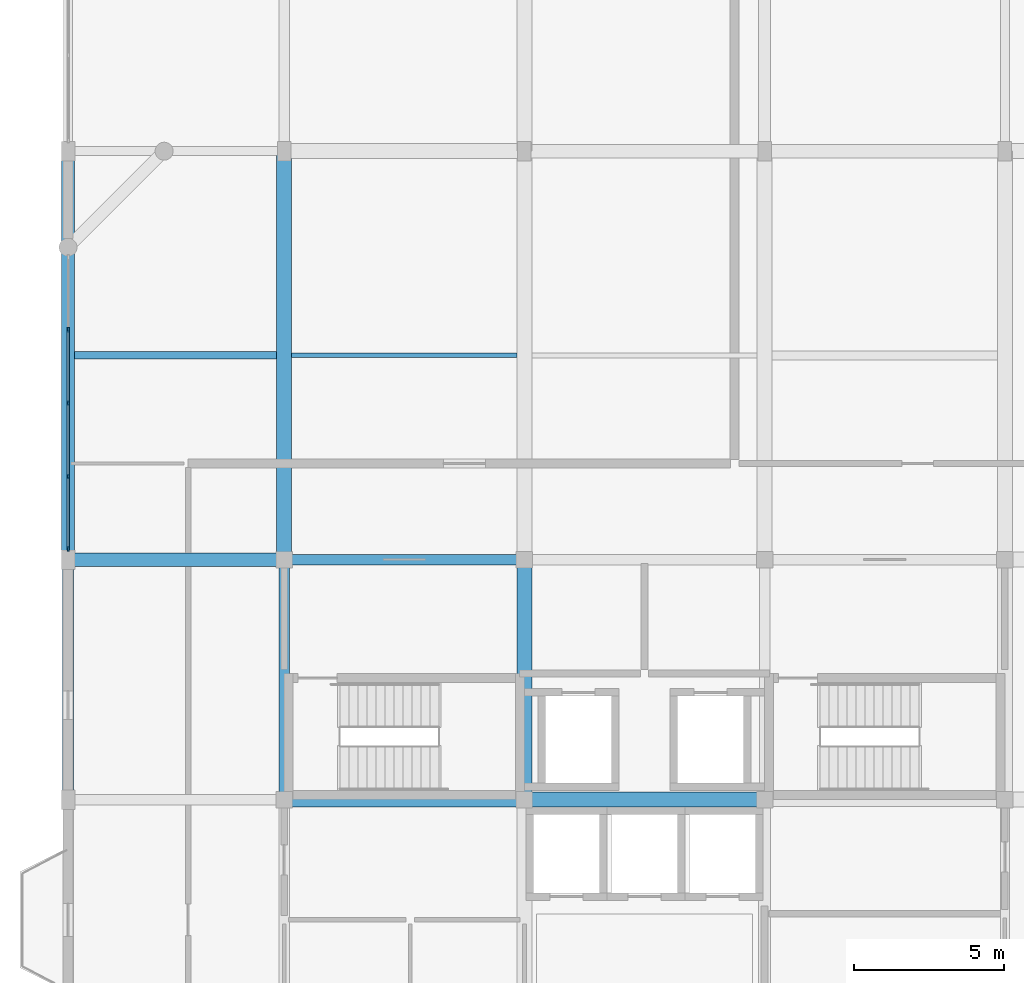
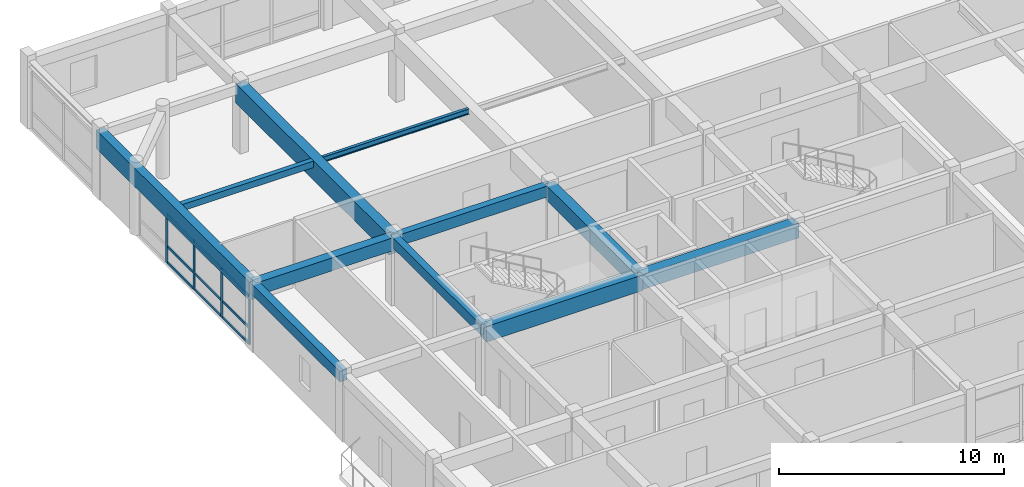
# One storey, part 3 of 13: 13 members, 11 beams, 1 element without a shape of its own.
"""IFC4 building model written with IfcOpenShell, lengths in metres."""

from ifc_helpers import new_model, si_unit, direction, frame, origin, origin_2d, place, context, subcontext, project, spatial, rectangle, i_section, extrude, material, material_profile, profile_set, type_object, element, aggregate, save


model = new_model("IFC4")

# Units and contexts
model_context = context("Model", 3, precision=1e-05, world=origin(), true_north=direction((0.0, 1.0)))
body_context = subcontext(model_context, "Body", "Model", "MODEL_VIEW")
ifc_project = project(units=[si_unit("LENGTHUNIT", "METRE"), si_unit("AREAUNIT", "SQUARE_METRE"), si_unit("VOLUMEUNIT", "CUBIC_METRE"), si_unit("PLANEANGLEUNIT", "RADIAN"), si_unit("MASSUNIT", "GRAM", prefix="KILO")], contexts=[model_context])

# Site, building, storey
site_placement = place(None, origin())
site = spatial("IfcSite", under=ifc_project, at=site_placement, CompositionType="ELEMENT")
building_placement = place(site_placement, origin())
building = spatial("IfcBuilding", under=site, at=building_placement, Name="Vellmiral Cinema and Media Centre", CompositionType="ELEMENT")
storey_placement = place(building_placement, frame((0.0, 0.0, 58.699951171875)))
storey = spatial("IfcBuildingStorey", under=building, at=storey_placement, Name="L14", CompositionType="ELEMENT", Elevation=58.699951171875)

# Beams
ifc_material_1 = material(Name="Concrete C40/50", Category="concrete")
ifc_material_profile_1 = material_profile(ifc_material_1, rectangle(XDim=0.35009765625, YDim=0.550048828125, at=origin_2d()), Name="RC 350x550")
ifc_profile_set_1 = profile_set([ifc_material_profile_1], Name="Concrete C40/50")
beam_type_1 = type_object("IfcBeamType", Name="BM-RC-350x550", PredefinedType="BEAM", material=ifc_profile_set_1)
beam_1_placement = place(storey_placement, frame((124.0, 87.199951171875, 3.3701171875), z_axis=(0.0, 1.0, 0.0), x_axis=(-1.0, 0.0, 0.0)))
element("IfcBeam", 1, at=beam_1_placement, inside=storey, type_object=beam_type_1, Name="Grid Beam L14-Y043", PredefinedType="BEAM", context=body_context, shape_type="SweptSolid", body=[
    extrude(rectangle(XDim=0.35009765625, YDim=0.550048828125, at=origin_2d()), origin(), (0.0, 0.0, 1.0), 8.0),
])
ifc_material_2 = material(Name="Concrete C40/50", Category="concrete")
ifc_material_profile_2 = material_profile(ifc_material_2, rectangle(XDim=0.35009765625, YDim=0.60009765625, at=origin_2d()), Name="RC 350x600")
ifc_profile_set_2 = profile_set([ifc_material_profile_2], Name="Concrete C40/50")
beam_type_2 = type_object("IfcBeamType", Name="BM-RC-350x600", PredefinedType="BEAM", material=ifc_profile_set_2)
beam_2_placement = place(storey_placement, frame((124.0, 95.199951171875, 3.344970703125), z_axis=(1.0, 0.0, 0.0), x_axis=(0.0, 1.0, 0.0)))
element("IfcBeam", 2, at=beam_2_placement, inside=storey, type_object=beam_type_2, Name="Grid Beam L14-X020", PredefinedType="BEAM", context=body_context, shape_type="SweptSolid", body=[
    extrude(rectangle(XDim=0.35009765625, YDim=0.60009765625, at=origin_2d()), origin(), (0.0, 0.0, 1.0), 8.0),
])
ifc_material_3 = material(Name="Concrete C40/50", Category="concrete")
ifc_material_profile_3 = material_profile(ifc_material_3, rectangle(XDim=0.449951171875, YDim=0.699951171875, at=origin_2d()), Name="RC 450x700")
ifc_profile_set_3 = profile_set([ifc_material_profile_3], Name="Concrete C40/50")
beam_type_3 = type_object("IfcBeamType", Name="BM-RC-450x700", PredefinedType="BEAM", material=ifc_profile_set_3)
beam_3_placement = place(storey_placement, frame((116.800048828125, 95.199951171875, 3.295166015625), z_axis=(1.0, 0.0, 0.0), x_axis=(0.0, 1.0, 0.0)))
element("IfcBeam", 3, at=beam_3_placement, inside=storey, type_object=beam_type_3, Name="Grid Beam L14-X019", PredefinedType="BEAM", context=body_context, shape_type="SweptSolid", body=[
    extrude(rectangle(XDim=0.449951171875, YDim=0.699951171875, at=origin_2d()), origin(), (0.0, 0.0, 1.0), 7.199951171875),
])
ifc_material_4 = material(Name="Concrete C40/50", Category="concrete")
ifc_material_profile_4 = material_profile(ifc_material_4, rectangle(XDim=0.5, YDim=0.800048828125, at=origin_2d()), Name="RC 500x800")
ifc_profile_set_4 = profile_set([ifc_material_profile_4], Name="Concrete C40/50")
beam_type_4 = type_object("IfcBeamType", Name="BM-RC-500x800", PredefinedType="BEAM", material=ifc_profile_set_4)
for number, where, z_axis, x_axis, name in (
    (4, (132.0, 87.199951171875, 3.2451171875), (1.0, 0.0, 0.0), (0.0, 1.0, 0.0), "Grid Beam L14-X015"),
    (5, (132.0, 87.199951171875, 3.2451171875), (0.0, 1.0, 0.0), (-1.0, 0.0, 0.0), "Grid Beam L14-Y048"),
):
    element("IfcBeam", number, at=place(storey_placement, frame(where, z_axis=z_axis, x_axis=x_axis)), inside=storey, type_object=beam_type_4, Name=name, PredefinedType="BEAM", context=body_context, shape_type="SweptSolid", body=[
        extrude(rectangle(XDim=0.5, YDim=0.800048828125, at=origin_2d()), origin(), (0.0, 0.0, 1.0), 8.0),
    ])
ifc_material_5 = material(Name="Concrete C40/50", Category="concrete")
ifc_material_profile_5 = material_profile(ifc_material_5, rectangle(XDim=0.5, YDim=0.85009765625, at=origin_2d()), Name="RC 500x850")
ifc_profile_set_5 = profile_set([ifc_material_profile_5], Name="Concrete C40/50")
beam_type_5 = type_object("IfcBeamType", Name="BM-RC-500x850", PredefinedType="BEAM", material=ifc_profile_set_5)
beam_4_placement = place(storey_placement, frame((124.0, 87.199951171875, 3.219970703125), z_axis=(1.0, 0.0, 0.0), x_axis=(0.0, 1.0, 0.0)))
element("IfcBeam", 6, at=beam_4_placement, inside=storey, type_object=beam_type_5, Name="Grid Beam L14-X014", PredefinedType="BEAM", context=body_context, shape_type="SweptSolid", body=[
    extrude(rectangle(XDim=0.5, YDim=0.85009765625, at=origin_2d()), origin(), (0.0, 0.0, 1.0), 8.0),
])
ifc_material_6 = material(Name="Concrete C40/50", Category="concrete")
ifc_material_profile_6 = material_profile(ifc_material_6, rectangle(XDim=0.5, YDim=1.050048828125, at=origin_2d()), Name="RC 500x1050")
ifc_profile_set_6 = profile_set([ifc_material_profile_6], Name="Concrete C40/50")
beam_type_6 = type_object("IfcBeamType", Name="BM-RCG-500x1050", PredefinedType="BEAM", material=ifc_profile_set_6)
beam_5_placement = place(storey_placement, frame((124.0, 95.199951171875, 3.1201171875), z_axis=(0.0, 1.0, 0.0), x_axis=(-1.0, 0.0, 0.0)))
element("IfcBeam", 7, at=beam_5_placement, inside=storey, type_object=beam_type_6, Name="Grid Beam L14-Y044", PredefinedType="BEAM", context=body_context, shape_type="SweptSolid", body=[
    extrude(rectangle(XDim=0.5, YDim=1.050048828125, at=origin_2d()), origin(), (0.0, 0.0, 1.0), 13.60009765625),
])

# Curtain wall, members
ifc_material_7 = material(Name="Thermally Broken Aluminium and Triple Glazing", Category="aluminium")
curtain_wall_type = type_object("IfcCurtainWallType", Name="CW-TOWER-MID-W", PredefinedType="USERDEFINED", material=ifc_material_7)
curtain_wall_placement = place(storey_placement, origin())
curtain_wall = element("IfcCurtainWall", 8, at=curtain_wall_placement, inside=storey, type_object=curtain_wall_type, Name="Curtain Wall L14-B025", ObjectType="UNITISED CURTAIN WALL", PredefinedType="USERDEFINED")
ifc_material_8 = material(Name="Thermally Broken Anodised Aluminium", Category="aluminium")
ifc_material_profile_7 = material_profile(ifc_material_8, rectangle(XDim=0.06494140625, YDim=0.159912109375, at=origin_2d()), Name="MULL 65x160")
ifc_profile_set_7 = profile_set([ifc_material_profile_7], Name="Thermally Broken Anodised Aluminium")
member_type_1 = type_object("IfcMemberType", Name="CWM-65x160", PredefinedType="MULLION", material=ifc_profile_set_7)
member_1_placement = place(storey_placement, frame((116.800048828125, 102.856201171875, 0.0), z_axis=(0.0, 0.0, 1.0), x_axis=(1.0, 0.0, 0.0)))
member_1 = element("IfcMember", 9, at=member_1_placement, type_object=member_type_1, Name="CW-08 mullion 2", PredefinedType="MULLION", context=body_context, shape_type="SweptSolid", body=[
    extrude(rectangle(XDim=0.06494140625, YDim=0.159912109375, at=origin_2d()), origin(), (0.0, 0.0, 1.0), 2.635009765625),
])
member_2_placement = place(storey_placement, frame((116.800048828125, 100.41259765625, 0.0), z_axis=(0.0, 0.0, 1.0), x_axis=(1.0, 0.0, 0.0)))
member_2 = element("IfcMember", 10, at=member_2_placement, type_object=member_type_1, Name="CW-08 mullion 3", PredefinedType="MULLION", context=body_context, shape_type="SweptSolid", body=[
    extrude(rectangle(XDim=0.06494140625, YDim=0.159912109375, at=origin_2d()), origin(), (0.0, 0.0, 1.0), 2.635009765625),
])
member_3_placement = place(storey_placement, frame((116.800048828125, 97.96875, 0.0), z_axis=(0.0, 0.0, 1.0), x_axis=(1.0, 0.0, 0.0)))
member_3 = element("IfcMember", 11, at=member_3_placement, type_object=member_type_1, Name="CW-08 mullion 4", PredefinedType="MULLION", context=body_context, shape_type="SweptSolid", body=[
    extrude(rectangle(XDim=0.06494140625, YDim=0.159912109375, at=origin_2d()), origin(), (0.0, 0.0, 1.0), 2.635009765625),
])
member_4_placement = place(storey_placement, frame((116.800048828125, 95.5576171875, 0.0), z_axis=(0.0, 0.0, 1.0), x_axis=(1.0, 0.0, 0.0)))
member_4 = element("IfcMember", 12, at=member_4_placement, type_object=member_type_1, Name="CW-08 mullion 5", PredefinedType="MULLION", context=body_context, shape_type="SweptSolid", body=[
    extrude(rectangle(XDim=0.06494140625, YDim=0.159912109375, at=origin_2d()), origin(), (0.0, 0.0, 1.0), 2.635009765625),
])
ifc_material_9 = material(Name="Thermally Broken Anodised Aluminium", Category="aluminium")
ifc_material_profile_8 = material_profile(ifc_material_9, rectangle(XDim=0.06494140625, YDim=0.135009765625, at=origin_2d()), Name="MULL 65x135")
ifc_profile_set_8 = profile_set([ifc_material_profile_8], Name="Thermally Broken Anodised Aluminium")
member_type_2 = type_object("IfcMemberType", Name="CWT-65x135", PredefinedType="USERDEFINED", material=ifc_profile_set_8)
member_5_placement = place(storey_placement, frame((116.800048828125, 102.82373046875, 0.032470703125), z_axis=(0.0, -1.0, 0.0), x_axis=(1.0, 0.0, 0.0)))
member_5 = element("IfcMember", 13, at=member_5_placement, type_object=member_type_2, Name="CW-08 transom 2.1", ObjectType="TRANSOM", PredefinedType="USERDEFINED", context=body_context, shape_type="SweptSolid", body=[
    extrude(rectangle(XDim=0.06494140625, YDim=0.135009765625, at=origin_2d()), origin(), (0.0, 0.0, 1.0), 2.378662109375),
])
member_6_placement = place(storey_placement, frame((116.800048828125, 102.82373046875, 0.900146484375), z_axis=(0.0, -1.0, 0.0), x_axis=(1.0, 0.0, 0.0)))
member_6 = element("IfcMember", 14, at=member_6_placement, type_object=member_type_2, Name="CW-08 transom 2.2", ObjectType="TRANSOM", PredefinedType="USERDEFINED", context=body_context, shape_type="SweptSolid", body=[
    extrude(rectangle(XDim=0.06494140625, YDim=0.135009765625, at=origin_2d()), origin(), (0.0, 0.0, 1.0), 2.378662109375),
])
member_7_placement = place(storey_placement, frame((116.800048828125, 102.82373046875, 2.6025390625), z_axis=(0.0, -1.0, 0.0), x_axis=(1.0, 0.0, 0.0)))
member_7 = element("IfcMember", 15, at=member_7_placement, type_object=member_type_2, Name="CW-08 transom 2.3", ObjectType="TRANSOM", PredefinedType="USERDEFINED", context=body_context, shape_type="SweptSolid", body=[
    extrude(rectangle(XDim=0.06494140625, YDim=0.135009765625, at=origin_2d()), origin(), (0.0, 0.0, 1.0), 2.378662109375),
])
member_8_placement = place(storey_placement, frame((116.800048828125, 100.3798828125, 0.032470703125), z_axis=(0.0, -1.0, 0.0), x_axis=(1.0, 0.0, 0.0)))
member_8 = element("IfcMember", 16, at=member_8_placement, type_object=member_type_2, Name="CW-08 transom 3.1", ObjectType="TRANSOM", PredefinedType="USERDEFINED", context=body_context, shape_type="SweptSolid", body=[
    extrude(rectangle(XDim=0.06494140625, YDim=0.135009765625, at=origin_2d()), origin(), (0.0, 0.0, 1.0), 2.378662109375),
])
member_9_placement = place(storey_placement, frame((116.800048828125, 100.3798828125, 0.900146484375), z_axis=(0.0, -1.0, 0.0), x_axis=(1.0, 0.0, 0.0)))
member_9 = element("IfcMember", 17, at=member_9_placement, type_object=member_type_2, Name="CW-08 transom 3.2", ObjectType="TRANSOM", PredefinedType="USERDEFINED", context=body_context, shape_type="SweptSolid", body=[
    extrude(rectangle(XDim=0.06494140625, YDim=0.135009765625, at=origin_2d()), origin(), (0.0, 0.0, 1.0), 2.378662109375),
])
member_10_placement = place(storey_placement, frame((116.800048828125, 100.3798828125, 2.6025390625), z_axis=(0.0, -1.0, 0.0), x_axis=(1.0, 0.0, 0.0)))
member_10 = element("IfcMember", 18, at=member_10_placement, type_object=member_type_2, Name="CW-08 transom 3.3", ObjectType="TRANSOM", PredefinedType="USERDEFINED", context=body_context, shape_type="SweptSolid", body=[
    extrude(rectangle(XDim=0.06494140625, YDim=0.135009765625, at=origin_2d()), origin(), (0.0, 0.0, 1.0), 2.378662109375),
])
member_11_placement = place(storey_placement, frame((116.800048828125, 97.936279296875, 0.032470703125), z_axis=(0.0, -1.0, 0.0), x_axis=(1.0, 0.0, 0.0)))
member_11 = element("IfcMember", 19, at=member_11_placement, type_object=member_type_2, Name="CW-08 transom 4.1", ObjectType="TRANSOM", PredefinedType="USERDEFINED", context=body_context, shape_type="SweptSolid", body=[
    extrude(rectangle(XDim=0.06494140625, YDim=0.135009765625, at=origin_2d()), origin(), (0.0, 0.0, 1.0), 2.34619140625),
])
member_12_placement = place(storey_placement, frame((116.800048828125, 97.936279296875, 0.900146484375), z_axis=(0.0, -1.0, 0.0), x_axis=(1.0, 0.0, 0.0)))
member_12 = element("IfcMember", 20, at=member_12_placement, type_object=member_type_2, Name="CW-08 transom 4.2", ObjectType="TRANSOM", PredefinedType="USERDEFINED", context=body_context, shape_type="SweptSolid", body=[
    extrude(rectangle(XDim=0.06494140625, YDim=0.135009765625, at=origin_2d()), origin(), (0.0, 0.0, 1.0), 2.34619140625),
])
member_13_placement = place(storey_placement, frame((116.800048828125, 97.936279296875, 2.6025390625), z_axis=(0.0, -1.0, 0.0), x_axis=(1.0, 0.0, 0.0)))
member_13 = element("IfcMember", 21, at=member_13_placement, type_object=member_type_2, Name="CW-08 transom 4.3", ObjectType="TRANSOM", PredefinedType="USERDEFINED", context=body_context, shape_type="SweptSolid", body=[
    extrude(rectangle(XDim=0.06494140625, YDim=0.135009765625, at=origin_2d()), origin(), (0.0, 0.0, 1.0), 2.34619140625),
])
aggregate(curtain_wall, [member_1, member_2, member_3, member_4, member_5, member_6, member_7, member_8, member_9, member_10, member_11, member_12, member_13])

# Beams
ifc_material_10 = material(Name="Concrete C40/50", Category="concrete")
ifc_material_profile_9 = material_profile(ifc_material_10, rectangle(XDim=0.25, YDim=0.35009765625, at=origin_2d()), Name="RC 250x350")
ifc_profile_set_9 = profile_set([ifc_material_profile_9], Name="Concrete C40/50")
beam_type_7 = type_object("IfcBeamType", Name="JST-RC-250x350", PredefinedType="JOIST", material=ifc_profile_set_9)
beam_6_placement = place(storey_placement, frame((117.010009765625, 102.0, 3.469970703125), z_axis=(1.0, 0.0, 0.0), x_axis=(0.0, 1.0, 0.0)))
element("IfcBeam", 22, at=beam_6_placement, inside=storey, type_object=beam_type_7, Name="Secondary Floor Joist L14-001", PredefinedType="JOIST", context=body_context, shape_type="SweptSolid", body=[
    extrude(rectangle(XDim=0.25, YDim=0.35009765625, at=origin_2d()), origin(), (0.0, 0.0, 1.0), 6.739990234375),
])
ifc_material_11 = material(Name="Steel S355", Category="steel")
ifc_material_profile_10 = material_profile(ifc_material_11, i_section(OverallWidth=0.14990234375, OverallDepth=0.300048828125, WebThickness=0.007080078125, FlangeThickness=0.0107421875, FilletRadius=0.014892578125, at=origin_2d()), Name="IPE 300")
ifc_profile_set_10 = profile_set([ifc_material_profile_10], Name="Steel S355")
beam_type_8 = type_object("IfcBeamType", Name="SBM-IPE300", PredefinedType="JOIST", material=ifc_profile_set_10)
beam_7_placement = place(storey_placement, frame((124.25, 102.0, 3.4951171875), z_axis=(1.0, 0.0, 0.0), x_axis=(0.0, 1.0, 0.0)))
element("IfcBeam", 23, at=beam_7_placement, inside=storey, type_object=beam_type_8, Name="Secondary Floor Joist L14-002", PredefinedType="JOIST", context=body_context, shape_type="SweptSolid", body=[
    extrude(i_section(OverallWidth=0.14990234375, OverallDepth=0.300048828125, WebThickness=0.007080078125, FlangeThickness=0.0107421875, FilletRadius=0.014892578125, at=origin_2d()), origin(), (0.0, 0.0, 1.0), 7.5),
])
ifc_material_12 = material(Name="Vosges Red Sandstone Masonry", Category="masonry")
ifc_material_profile_11 = material_profile(ifc_material_12, rectangle(XDim=0.3798828125, YDim=0.580078125, at=origin_2d()), Name="SAND 380x580")
ifc_profile_set_11 = profile_set([ifc_material_profile_11], Name="Vosges Red Sandstone Masonry")
beam_type_9 = type_object("IfcBeamType", Name="SPD-SAND-380x580", PredefinedType="SPANDREL", material=ifc_profile_set_11)
beam_8_placement = place(storey_placement, frame((116.800048828125, 87.199951171875, 3.35498046875), z_axis=(0.0, 1.0, 0.0), x_axis=(-1.0, 0.0, 0.0)))
element("IfcBeam", 24, at=beam_8_placement, inside=storey, type_object=beam_type_9, Name="Grid Beam L14-Y038", PredefinedType="SPANDREL", context=body_context, shape_type="SweptSolid", body=[
    extrude(rectangle(XDim=0.3798828125, YDim=0.580078125, at=origin_2d()), origin(), (0.0, 0.0, 1.0), 8.0),
])
ifc_material_13 = material(Name="Vosges Red Sandstone Masonry", Category="masonry")
ifc_material_profile_12 = material_profile(ifc_material_13, rectangle(XDim=0.419921875, YDim=1.0, at=origin_2d()), Name="SAND 420x1000")
ifc_profile_set_12 = profile_set([ifc_material_profile_12], Name="Vosges Red Sandstone Masonry")
beam_type_10 = type_object("IfcBeamType", Name="SPD-SANDG-420x1000", PredefinedType="SPANDREL", material=ifc_profile_set_12)
beam_9_placement = place(storey_placement, frame((116.800048828125, 95.199951171875, 3.14501953125), z_axis=(0.0, 1.0, 0.0), x_axis=(-1.0, 0.0, 0.0)))
element("IfcBeam", 25, at=beam_9_placement, inside=storey, type_object=beam_type_10, Name="Grid Beam L14-Y039", PredefinedType="SPANDREL", context=body_context, shape_type="SweptSolid", body=[
    extrude(rectangle(XDim=0.419921875, YDim=1.0, at=origin_2d()), origin(), (0.0, 0.0, 1.0), 13.60009765625),
])

save(model, "model.ifc")
